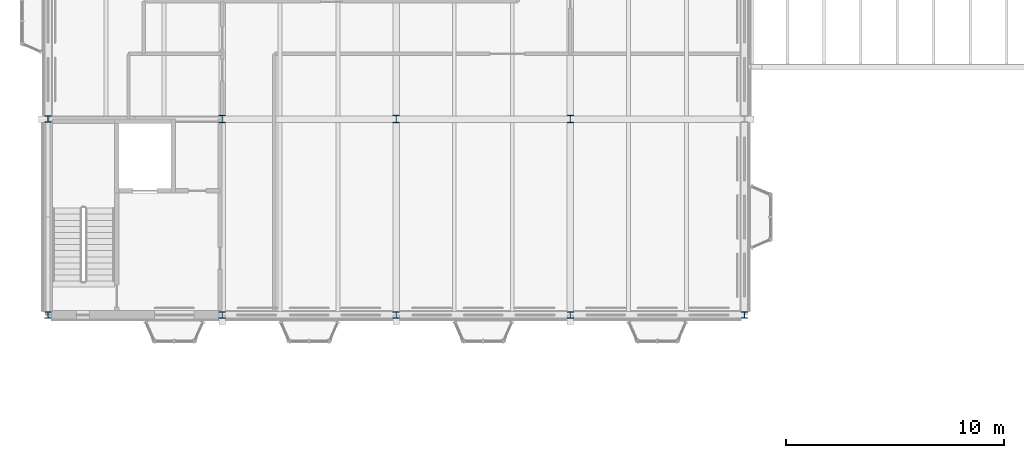
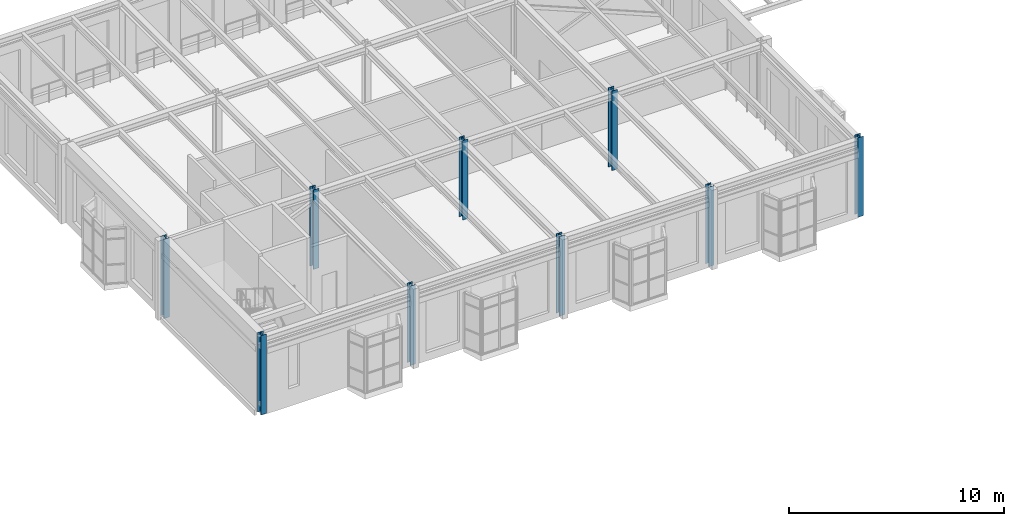
# One storey, part 7 of 153: 9 columns.
"""IFC4 building model written with IfcOpenShell, lengths in metres."""

from ifc_helpers import new_model, si_unit, direction, frame, origin, origin_2d, place, context, subcontext, project, spatial, i_section, extrude, material, material_profile, profile_set, type_object, element, save


model = new_model("IFC4")

# Units and contexts
model_context = context("Model", 3, precision=1e-05, world=origin(), true_north=direction((0.0, 1.0)))
body_context = subcontext(model_context, "Body", "Model", "MODEL_VIEW")
ifc_project = project(units=[si_unit("LENGTHUNIT", "METRE"), si_unit("AREAUNIT", "SQUARE_METRE"), si_unit("VOLUMEUNIT", "CUBIC_METRE"), si_unit("PLANEANGLEUNIT", "RADIAN"), si_unit("MASSUNIT", "GRAM", prefix="KILO")], contexts=[model_context])

# Site, building, storey
site_placement = place(None, origin())
site = spatial("IfcSite", under=ifc_project, at=site_placement, CompositionType="ELEMENT")
building_placement = place(site_placement, origin())
building = spatial("IfcBuilding", under=site, at=building_placement, Name="Kallimachos Central Library", CompositionType="ELEMENT")
storey_placement = place(building_placement, frame((0.0, 0.0, 5.39990234375)))
storey = spatial("IfcBuildingStorey", under=building, at=storey_placement, Name="L01", CompositionType="ELEMENT", Elevation=5.39990234375)

# Columns
ifc_material_1 = material(Name="Steel S355J2", Category="steel")
ifc_material_profile_1 = material_profile(ifc_material_1, i_section(OverallWidth=0.300048828125, OverallDepth=0.300048828125, WebThickness=0.010986328125, FlangeThickness=0.01904296875, FilletRadius=0.027099609375, at=origin_2d()), Name="HEB 300")
ifc_profile_set_1 = profile_set([ifc_material_profile_1], Name="Steel S355J2")
column_type_1 = type_object("IfcColumnType", Name="HEB 300 column", PredefinedType="COLUMN", material=ifc_profile_set_1)
for number, where, z_axis, x_axis, name in (
    (1, (6.0, 87.0, 0.0), (0.0, 0.0, 1.0), (1.0, 0.0, 0.0), "V2-COL-L01-001"),
    (2, (6.0, 96.0, 0.0), (0.0, 0.0, 1.0), (1.0, 0.0, 0.0), "V2-COL-L01-002"),
    (3, (14.0, 87.0, 0.0), (0.0, 0.0, 1.0), (1.0, 0.0, 0.0), "V2-COL-L01-005"),
    (4, (22.0, 87.0, 0.0), (0.0, 0.0, 1.0), (1.0, 0.0, 0.0), "V2-COL-L01-009"),
    (5, (30.0, 87.0, 0.0), (0.0, 0.0, 1.0), (1.0, 0.0, 0.0), "V2-COL-L01-013"),
    (6, (38.0, 87.0, 0.0), (0.0, 0.0, 1.0), (1.0, 0.0, 0.0), "V2-COL-L01-017"),
):
    element("IfcColumn", number, at=place(storey_placement, frame(where, z_axis=z_axis, x_axis=x_axis)), inside=storey, type_object=column_type_1, Name=name, PredefinedType="COLUMN", context=body_context, shape_type="SweptSolid", body=[
        extrude(i_section(OverallWidth=0.300048828125, OverallDepth=0.300048828125, WebThickness=0.010986328125, FlangeThickness=0.01904296875, FilletRadius=0.027099609375, at=origin_2d()), origin(), (0.0, 0.0, 1.0), 4.5),
    ])
ifc_material_2 = material(Name="Steel S355J2", Category="steel")
ifc_material_profile_2 = material_profile(ifc_material_2, i_section(OverallWidth=0.300048828125, OverallDepth=0.340087890625, WebThickness=0.011962890625, FlangeThickness=0.021484375, FilletRadius=0.027099609375, at=origin_2d()), Name="HEB 340")
ifc_profile_set_2 = profile_set([ifc_material_profile_2], Name="Steel S355J2")
column_type_2 = type_object("IfcColumnType", Name="HEB 340 column", PredefinedType="COLUMN", material=ifc_profile_set_2)
for number, where, z_axis, x_axis, name in (
    (7, (14.0, 96.0, 0.0), (0.0, 0.0, 1.0), (1.0, 0.0, 0.0), "V2-COL-L01-006"),
    (8, (22.0, 96.0, 0.0), (0.0, 0.0, 1.0), (1.0, 0.0, 0.0), "V2-COL-L01-010"),
    (9, (30.0, 96.0, 0.0), (0.0, 0.0, 1.0), (1.0, 0.0, 0.0), "V2-COL-L01-014"),
):
    element("IfcColumn", number, at=place(storey_placement, frame(where, z_axis=z_axis, x_axis=x_axis)), inside=storey, type_object=column_type_2, Name=name, PredefinedType="COLUMN", context=body_context, shape_type="SweptSolid", body=[
        extrude(i_section(OverallWidth=0.300048828125, OverallDepth=0.340087890625, WebThickness=0.011962890625, FlangeThickness=0.021484375, FilletRadius=0.027099609375, at=origin_2d()), origin(), (0.0, 0.0, 1.0), 4.5),
    ])

save(model, "model.ifc")
